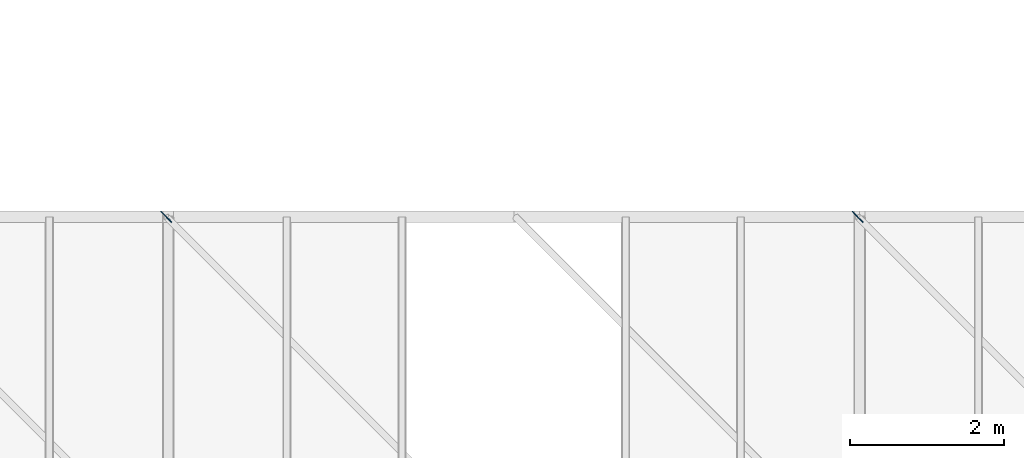
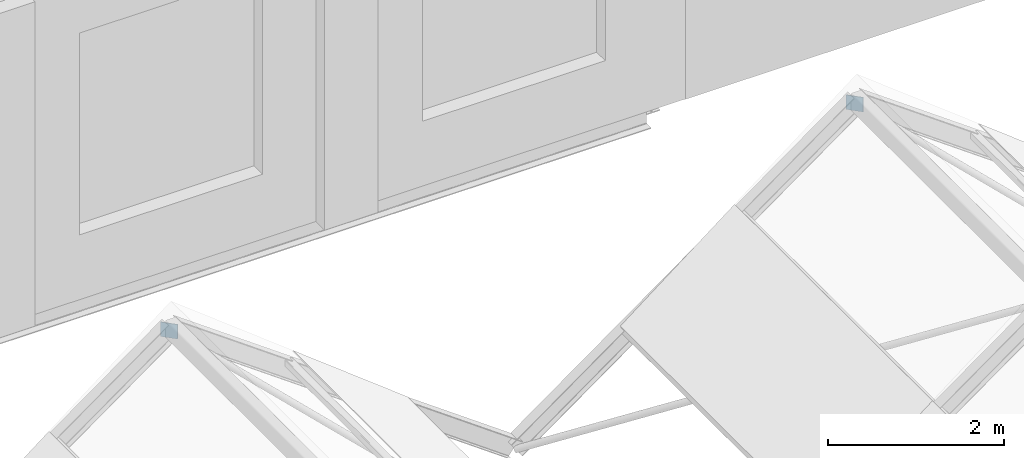
# One storey, part 59 of 74: 2 discrete accessories.
"""IFC4 building model written with IfcOpenShell, lengths in metres."""

from ifc_helpers import new_model, si_unit, direction, frame, origin, origin_2d, place, context, subcontext, project, spatial, rectangle, extrude, material, type_object, element, save


model = new_model("IFC4")

# Units and contexts
model_context = context("Model", 3, precision=1e-05, world=origin(), true_north=direction((0.0, 1.0)))
body_context = subcontext(model_context, "Body", "Model", "MODEL_VIEW")
ifc_project = project(units=[si_unit("LENGTHUNIT", "METRE"), si_unit("AREAUNIT", "SQUARE_METRE"), si_unit("VOLUMEUNIT", "CUBIC_METRE"), si_unit("PLANEANGLEUNIT", "RADIAN"), si_unit("MASSUNIT", "GRAM", prefix="KILO")], contexts=[model_context])

# Site, building, storey
site_placement = place(None, origin())
site = spatial("IfcSite", under=ifc_project, at=site_placement, CompositionType="ELEMENT")
building_placement = place(site_placement, origin())
building = spatial("IfcBuilding", under=site, at=building_placement, Name="Hortulan Conservatory and Botanical Research Centre", CompositionType="ELEMENT")
storey_placement = place(building_placement, frame((0.0, 0.0, 6.0)))
storey = spatial("IfcBuildingStorey", under=building, at=storey_placement, Name="L01", CompositionType="ELEMENT", Elevation=6.0)

# Discrete accessories
ifc_material = material(Name="Steel Grade 300 plate (AS/NZS 3678, 280 MPa minimum yield)", Category="steel")
discrete_accessory_type = type_object("IfcDiscreteAccessoryType", Name="End Plate 200x10", PredefinedType="BRACKET", material=ifc_material)
for number, where, z_axis, x_axis, name in (
    (1, (80.9765625, 31.5, 2.21240234375), (0.0, 0.0, 1.0), (0.707106781187, -0.707106781187, 0.0), "Brace end plate"),
    (2, (89.9765625, 31.5, 2.21240234375), (0.0, 0.0, 1.0), (0.707106781187, -0.707106781187, 0.0), "Brace end plate"),
):
    element("IfcDiscreteAccessory", number, at=place(storey_placement, frame(where, z_axis=z_axis, x_axis=x_axis)), inside=storey, type_object=discrete_accessory_type, Name=name, PredefinedType="BRACKET", context=body_context, shape_type="SweptSolid", body=[
        extrude(rectangle(XDim=0.199951171875, YDim=0.010009765625, at=origin_2d()), origin(), (0.0, 0.0, 1.0), 0.199951171875),
    ])

save(model, "model.ifc")
